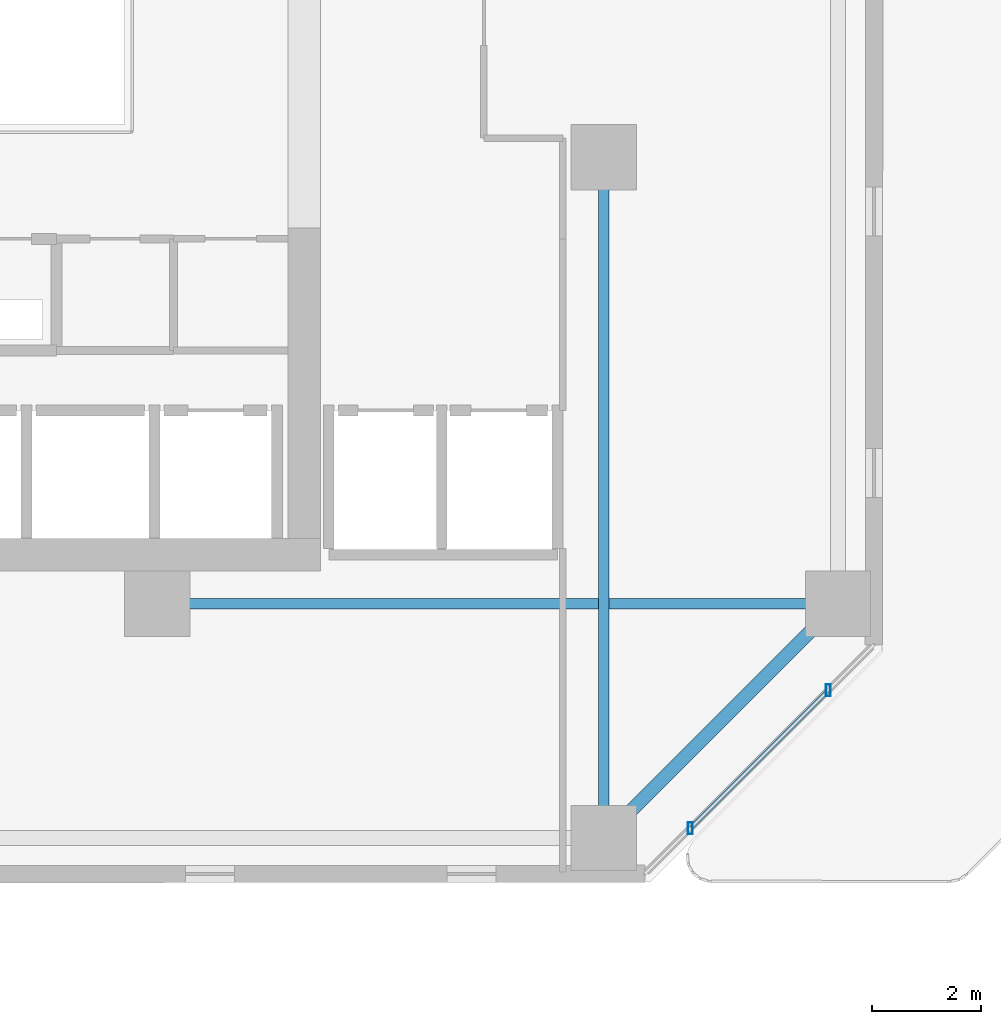
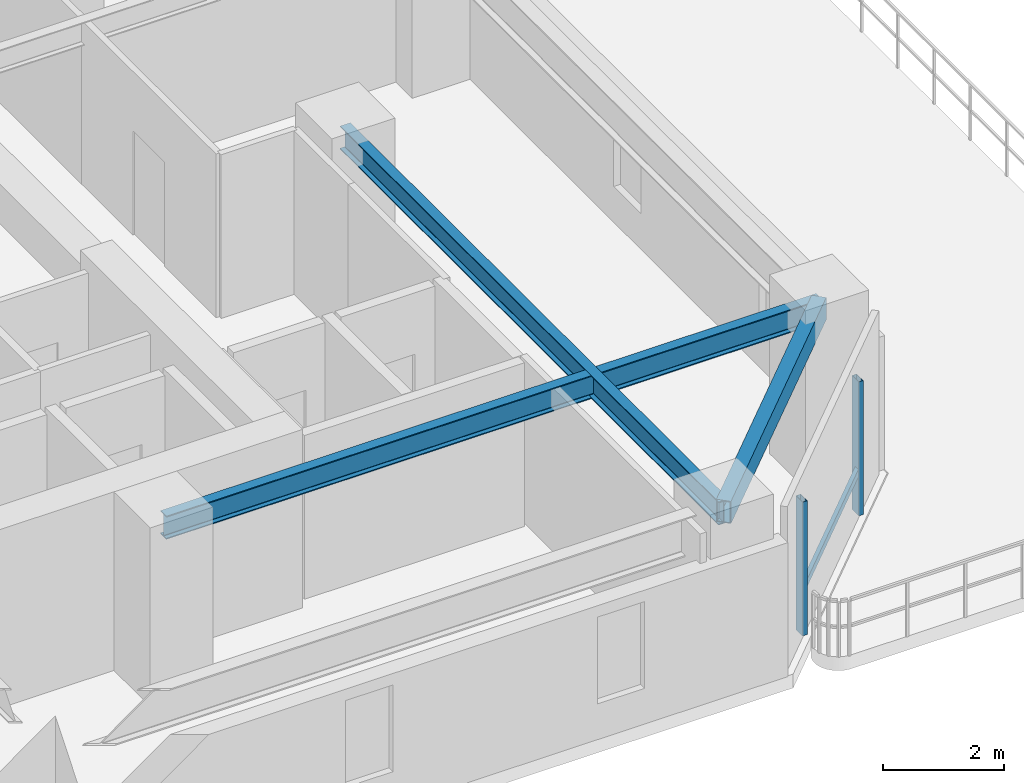
# One storey, part 5 of 33: 3 beams, 3 members, 1 element without a shape of its own.
"""IFC4 building model written with IfcOpenShell, lengths in metres."""

import ifcopenshell
import ifcopenshell.guid

model = None  # the IFC model being written
_history = None  # IfcOwnerHistory: only IFC2X3 demands one
_inside = {}  # id of a spatial element -> (the spatial element, [elements in it])
_under = {}  # id of a project, library or spatial element -> (it, [spatial elements below it])
_declared = {}  # id of a project -> (the project, [libraries it declares])
_typed = {}  # id of a type object -> (the type object, [elements of that type])
_made_of = {}  # id of a material, layer set ... -> (it, [elements and type objects made of it])


def new_model(schema):
    """Start an empty IFC model of exactly this schema.

    Asked for "IFC4X3", IfcOpenShell would pick the latest addendum, in which some entities
    have other attributes; the version numbers below select the first issue.
    IFC2X3 requires an IfcOwnerHistory on every rooted entity: one is made here for all.
    """
    global model, _history
    if schema == "IFC4X3":
        model = ifcopenshell.file(schema_version=(4, 3, 0, 0))
    else:
        model = ifcopenshell.file(schema=schema)
    _inside.clear()
    _under.clear()
    _declared.clear()
    _typed.clear()
    _made_of.clear()
    _history = None
    if model.schema == "IFC2X3":
        org = make("IfcOrganization", Name="unknown")
        user = make(
            "IfcPersonAndOrganization",
            ThePerson=make("IfcPerson", FamilyName="unknown"),
            TheOrganization=org,
        )
        app = make(
            "IfcApplication",
            ApplicationDeveloper=org,
            Version="unknown",
            ApplicationFullName="unknown",
            ApplicationIdentifier="unknown",
        )
        _history = make(
            "IfcOwnerHistory",
            OwningUser=user,
            OwningApplication=app,
            ChangeAction="ADDED",
            CreationDate=0,
        )
    return model


def make(cls, **values):
    """One entity of the class cls with the attributes given. An attribute that is None is left unset."""
    return model.create_entity(
        cls, **{name: value for name, value in values.items() if value is not None}
    )


def rooted(cls, **values):
    """An entity with a GlobalId (a new one), such as an element, a storey or a relation."""
    return make(cls, GlobalId=ifcopenshell.guid.new(), OwnerHistory=_history, **values)


def si_unit(unit_type, name, prefix=None):
    """IfcSIUnit, for example si_unit("LENGTHUNIT", "METRE", prefix="MILLI")."""
    return make("IfcSIUnit", UnitType=unit_type, Prefix=prefix, Name=name)


def assignment(units):
    """IfcUnitAssignment: the units of a project."""
    return None if units is None else make("IfcUnitAssignment", Units=units)


def point(xyz):
    """IfcCartesianPoint."""
    return None if xyz is None else make("IfcCartesianPoint", Coordinates=xyz)


def direction(xyz):
    """IfcDirection."""
    return None if xyz is None else make("IfcDirection", DirectionRatios=xyz)


def frame(location, z_axis=None, x_axis=None):
    """IfcAxis2Placement3D, a coordinate frame: its origin and axes. An axis left out is left unset."""
    return make(
        "IfcAxis2Placement3D",
        Location=point(location),
        Axis=direction(z_axis),
        RefDirection=direction(x_axis),
    )


def frame_2d(location, x_axis=None):
    """IfcAxis2Placement2D, a coordinate frame in the plane: its origin and x axis."""
    return make(
        "IfcAxis2Placement2D", Location=point(location), RefDirection=direction(x_axis)
    )


def origin():
    """The frame at (0, 0, 0) with its axes left unset."""
    return frame((0.0, 0.0, 0.0))


def origin_2d():
    """The frame at (0, 0) in the plane with its x axis left unset."""
    return frame_2d((0.0, 0.0))


def place(relative_to, where):
    """IfcLocalPlacement: puts the frame where relative to a parent placement (None: the world)."""
    return make(
        "IfcLocalPlacement", PlacementRelTo=relative_to, RelativePlacement=where
    )


def context(
    kind, dimensions, precision=None, world=None, true_north=None, identifier=None
):
    """IfcGeometricRepresentationContext, for example the 3D "Model" context."""
    return make(
        "IfcGeometricRepresentationContext",
        ContextIdentifier=identifier,
        ContextType=kind,
        CoordinateSpaceDimension=dimensions,
        Precision=precision,
        WorldCoordinateSystem=world,
        TrueNorth=true_north,
    )


def subcontext(parent, identifier, kind, view, scale=None):
    """IfcGeometricRepresentationSubContext, for example "Body" below "Model"."""
    return make(
        "IfcGeometricRepresentationSubContext",
        ContextIdentifier=identifier,
        ContextType=kind,
        ParentContext=parent,
        TargetScale=scale,
        TargetView=view,
    )


def project(units=None, contexts=None):
    """IfcProject with its units and contexts."""
    return rooted(
        "IfcProject",
        Name="project",
        RepresentationContexts=contexts,
        UnitsInContext=assignment(units),
    )


def spatial(cls, under=None, at=None, **own):
    """A site, building, storey or space (cls), placed at a placement, below another one or the project."""
    s = rooted(cls, ObjectPlacement=at, **own)
    if under is not None:
        _under.setdefault(under.id(), (under, []))[1].append(s)
    return s


def profile(cls, at=None, kind="AREA", **sizes):
    """A parametric profile (cls). Its sizes go by their IFC names, for example OverallWidth=200.0."""
    return make(cls, ProfileType=kind, Position=at, **sizes)


def hollow_rectangle(**sizes):
    """IfcRectangleHollowProfileDef."""
    return profile("IfcRectangleHollowProfileDef", **sizes)


def i_section(**sizes):
    """IfcIShapeProfileDef."""
    return profile("IfcIShapeProfileDef", **sizes)


def extrude(swept, where, along, depth):
    """IfcExtrudedAreaSolid: the profile swept, set in the frame where, extruded along a direction by depth."""
    return make(
        "IfcExtrudedAreaSolid",
        SweptArea=swept,
        Position=where,
        ExtrudedDirection=direction(along),
        Depth=depth,
    )


def shape(context_of_items, identifier, shape_type, items):
    """IfcShapeRepresentation: the items that make up one representation, for example the "Body"."""
    return make(
        "IfcShapeRepresentation",
        ContextOfItems=context_of_items,
        RepresentationIdentifier=identifier,
        RepresentationType=shape_type,
        Items=items,
    )


def material(Name=None, Category=None):
    """IfcMaterial."""
    return make("IfcMaterial", Name=Name, Category=Category)


def material_profile(
    of_material, cross_section, Name=None, Category=None, Priority=None
):
    """IfcMaterialProfile: a cross section and its material."""
    return make(
        "IfcMaterialProfile",
        Name=Name,
        Material=of_material,
        Profile=cross_section,
        Priority=Priority,
        Category=Category,
    )


def profile_set(profiles, Name=None, composite=None):
    """IfcMaterialProfileSet."""
    return make(
        "IfcMaterialProfileSet",
        Name=Name,
        MaterialProfiles=profiles,
        CompositeProfile=composite,
    )


def made_of(thing, what):
    """Note that an element or type object is made of a material, layer set ...; save() writes the relation."""
    if what is not None:
        _made_of.setdefault(what.id(), (what, []))[1].append(thing)
    return thing


def type_object(cls, material=None, **own):
    """A type object (cls), such as IfcWallType, which elements share."""
    return made_of(rooted(cls, **own), material)


def element(
    cls,
    number,
    at=None,
    inside=None,
    cuts=None,
    type_object=None,
    material=None,
    context=None,
    identifier="Body",
    shape_type=None,
    held_by="IfcProductDefinitionShape",
    body=None,
    shapes=None,
    **own,
):
    """One element of the class cls, such as IfcWall. Its Tag is "e" and its number.

    at: its placement. inside: the storey or other place that contains it. cuts: it is an
    opening in that element (IfcRelVoidsElement). A single representation is given by context,
    identifier, shape_type and body (its items); several are given by shapes. held_by: the class
    of the entity that holds the representations. save() writes the other relations.
    """
    e = rooted(cls, Tag="e%d" % number, ObjectPlacement=at, **own)
    if body is not None:
        shapes = [shape(context, identifier, shape_type, body)]
    if shapes is not None:
        e.Representation = make(held_by, Representations=shapes)
    if inside is not None:
        _inside.setdefault(inside.id(), (inside, []))[1].append(e)
    if cuts is not None:
        rooted(
            "IfcRelVoidsElement", RelatingBuildingElement=cuts, RelatedOpeningElement=e
        )
    if type_object is not None:
        _typed.setdefault(type_object.id(), (type_object, []))[1].append(e)
    return made_of(e, material)


def aggregate(whole, parts):
    """IfcRelAggregates: a whole, such as a stair, and the parts it consists of."""
    return rooted("IfcRelAggregates", RelatingObject=whole, RelatedObjects=parts)


def save(model, path):
    """Write the relations noted so far, then the file.

    IfcRelAggregates (storeys below a building ...), IfcRelContainedInSpatialStructure (elements
    in a storey), IfcRelDefinesByType, IfcRelAssociatesMaterial and IfcRelDeclares: one each for
    every whole, place, type object, material and project.
    """
    for whole, parts in _under.values():
        aggregate(whole, parts)
    for where, things in _inside.values():
        rooted(
            "IfcRelContainedInSpatialStructure",
            RelatedElements=things,
            RelatingStructure=where,
        )
    for kind, things in _typed.values():
        rooted("IfcRelDefinesByType", RelatedObjects=things, RelatingType=kind)
    for what, things in _made_of.values():
        rooted("IfcRelAssociatesMaterial", RelatedObjects=things, RelatingMaterial=what)
    for by, libraries in _declared.values():
        rooted("IfcRelDeclares", RelatingContext=by, RelatedDefinitions=libraries)
    model.write(path)


model = new_model("IFC4")

# Units and contexts
model_context = context("Model", 3, precision=1e-05, world=origin(), true_north=direction((0.0, 1.0)))
body_context = subcontext(model_context, "Body", "Model", "MODEL_VIEW")
ifc_project = project(units=[si_unit("LENGTHUNIT", "METRE"), si_unit("AREAUNIT", "SQUARE_METRE"), si_unit("VOLUMEUNIT", "CUBIC_METRE"), si_unit("PLANEANGLEUNIT", "RADIAN"), si_unit("MASSUNIT", "GRAM", prefix="KILO")], contexts=[model_context])

# Site, building, storey
site_placement = place(None, origin())
site = spatial("IfcSite", under=ifc_project, at=site_placement, CompositionType="ELEMENT")
building_placement = place(site_placement, origin())
building = spatial("IfcBuilding", under=site, at=building_placement, Name="Thornwick Lancets Civic Towers", CompositionType="ELEMENT")
storey_placement = place(building_placement, frame((0.0, 0.0, 98.10009765625)))
storey = spatial("IfcBuildingStorey", under=building, at=storey_placement, Name="L25", CompositionType="ELEMENT", Elevation=98.10009765625)

# Beams
ifc_material_1 = material(Name="Steel S355JR", Category="steel")
ifc_material_profile_1 = material_profile(ifc_material_1, i_section(OverallWidth=0.19287109375, OverallDepth=0.46728515625, WebThickness=0.011474609375, FlangeThickness=0.01953125, FilletRadius=0.01025390625, at=origin_2d()), Name="UKB 457x191x98")
ifc_profile_set_1 = profile_set([ifc_material_profile_1], Name="Steel S355JR")
beam_type_1 = type_object("IfcBeamType", Name="BM_JOIST_457_98", PredefinedType="JOIST", material=ifc_profile_set_1)
for number, where, z_axis, x_axis, name in (
    (1, (38.5, 22.199951171875, 3.086181640625), (0.0, -1.0, 0.0), (1.0, 0.0, 0.0), "BM-RADIN-L25-A03"),
    (2, (30.300048828125, 14.0, 3.086181640625), (1.0, 0.0, 0.0), (0.0, 1.0, 0.0), "BM-RADIN-L25-A04"),
):
    element("IfcBeam", number, at=place(storey_placement, frame(where, z_axis=z_axis, x_axis=x_axis)), inside=storey, type_object=beam_type_1, Name=name, PredefinedType="JOIST", context=body_context, shape_type="SweptSolid", body=[
        extrude(i_section(OverallWidth=0.19287109375, OverallDepth=0.46728515625, WebThickness=0.011474609375, FlangeThickness=0.01953125, FilletRadius=0.01025390625, at=origin_2d()), origin(), (0.0, 0.0, 1.0), 12.5),
    ])
ifc_material_profile_2 = material_profile(ifc_material_1, hollow_rectangle(XDim=0.25, YDim=0.449951171875, WallThickness=0.01611328125, at=origin_2d()), Name="RHS 450x250x16")
ifc_profile_set_2 = profile_set([ifc_material_profile_2], Name="Steel S355JR")
beam_type_2 = type_object("IfcBeamType", Name="BM_RING_RHS450", PredefinedType="BEAM", material=ifc_profile_set_2)
beam_placement = place(storey_placement, frame((38.5, 9.699951171875, 3.094970703125), z_axis=(0.707106781187, 0.707106781187, 0.0), x_axis=(-0.707106781187, 0.707106781187, 0.0)))
element("IfcBeam", 3, at=beam_placement, inside=storey, type_object=beam_type_2, Name="BM-CHAMF-L25-A-C0", PredefinedType="BEAM", context=body_context, shape_type="SweptSolid", body=[
    extrude(hollow_rectangle(XDim=0.25, YDim=0.449951171875, WallThickness=0.01611328125, at=origin_2d()), origin(), (0.0, 0.0, 1.0), 6.081298828125),
])

# Curtain wall, members
ifc_material_2 = material(Name="Low-zone chamfered-corner unitised glass curtain wall", Category="glass")
curtain_wall_type = type_object("IfcCurtainWallType", Name="CW_SYS_03", PredefinedType="NOTDEFINED", material=ifc_material_2)
curtain_wall_placement = place(storey_placement, origin())
curtain_wall = element("IfcCurtainWall", 4, at=curtain_wall_placement, inside=storey, type_object=curtain_wall_type, Name="L25 Curtain Wall CW-L25-A-E1", PredefinedType="NOTDEFINED")
ifc_material_3 = material(Name="Thermally broken bronze aluminium S355", Category="steel")
ifc_material_profile_3 = material_profile(ifc_material_3, hollow_rectangle(XDim=0.090087890625, YDim=0.219970703125, WallThickness=0.00634765625, at=origin_2d()), Name="RHS 220x90x6.3")
ifc_profile_set_3 = profile_set([ifc_material_profile_3], Name="Thermally broken bronze aluminium S355")
member_type_1 = type_object("IfcMemberType", Name="CW_MUL_220", PredefinedType="MULLION", material=ifc_profile_set_3)
member_1_placement = place(storey_placement, frame((40.08935546875, 9.87841796875, 0.0), z_axis=(0.0, 0.0, 1.0), x_axis=(1.0, 0.0, 0.0)))
member_1 = element("IfcMember", 5, at=member_1_placement, type_object=member_type_1, Name="CW-L25-A-E1 Mullion 0", PredefinedType="MULLION", context=body_context, shape_type="SweptSolid", body=[
    extrude(hollow_rectangle(XDim=0.090087890625, YDim=0.219970703125, WallThickness=0.00634765625, at=origin_2d()), origin(), (0.0, 0.0, 1.0), 2.699951171875),
])
member_2_placement = place(storey_placement, frame((42.62158203125, 12.41064453125, 0.0), z_axis=(0.0, 0.0, 1.0), x_axis=(1.0, 0.0, 0.0)))
member_2 = element("IfcMember", 6, at=member_2_placement, type_object=member_type_1, Name="CW-L25-A-E1 Mullion 1", PredefinedType="MULLION", context=body_context, shape_type="SweptSolid", body=[
    extrude(hollow_rectangle(XDim=0.090087890625, YDim=0.219970703125, WallThickness=0.00634765625, at=origin_2d()), origin(), (0.0, 0.0, 1.0), 2.699951171875),
])
ifc_material_profile_4 = material_profile(ifc_material_3, hollow_rectangle(XDim=0.074951171875, YDim=0.14990234375, WallThickness=0.0048828125, at=origin_2d()), Name="RHS 150x75x5")
ifc_profile_set_4 = profile_set([ifc_material_profile_4], Name="Thermally broken bronze aluminium S355")
member_type_2 = type_object("IfcMemberType", Name="CW_TRN_150", PredefinedType="USERDEFINED", material=ifc_profile_set_4)
member_3_placement = place(storey_placement, frame((40.103515625, 9.892578125, 0.849853515625), z_axis=(0.707106781187, 0.707106781187, 0.0), x_axis=(-0.707106781187, 0.707106781187, 0.0)))
member_3 = element("IfcMember", 7, at=member_3_placement, type_object=member_type_2, Name="CW-L25-A-E1 Transom 0", ObjectType="TRANSOM", PredefinedType="USERDEFINED", context=body_context, shape_type="SweptSolid", body=[
    extrude(hollow_rectangle(XDim=0.074951171875, YDim=0.14990234375, WallThickness=0.0048828125, at=origin_2d()), origin(), (0.0, 0.0, 1.0), 3.541015625),
])
aggregate(curtain_wall, [member_1, member_2, member_3])

save(model, "model.ifc")
